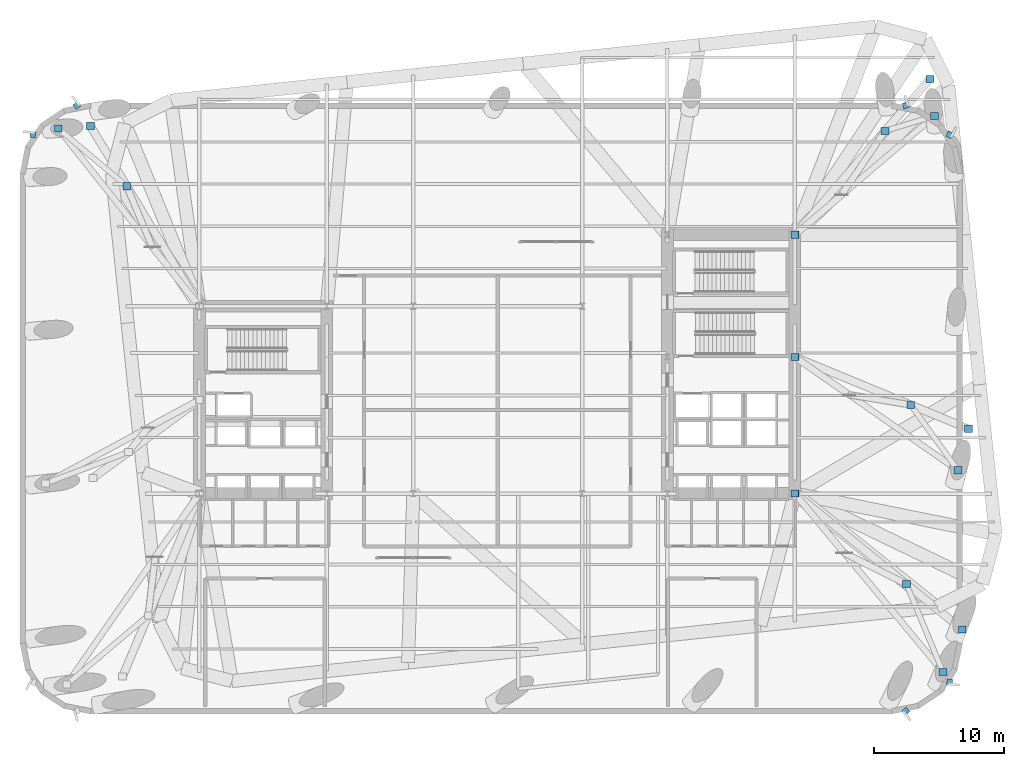
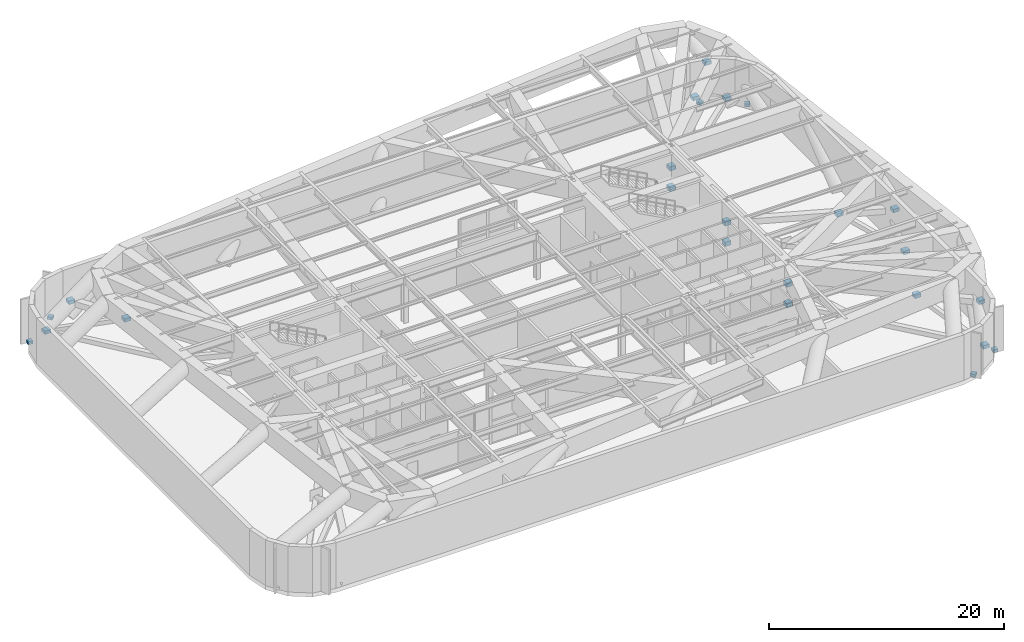
# One storey, part 11 of 16: 29 discrete accessories.
"""IFC4 building model written with IfcOpenShell, lengths in metres."""

from ifc_helpers import new_model, si_unit, direction, frame, origin, origin_2d, place, context, subcontext, project, spatial, rectangle, extrude, material, type_object, element, save


model = new_model("IFC4")

# Units and contexts
model_context = context("Model", 3, precision=1e-05, world=origin(), true_north=direction((0.0, 1.0)))
body_context = subcontext(model_context, "Body", "Model", "MODEL_VIEW")
ifc_project = project(units=[si_unit("LENGTHUNIT", "METRE"), si_unit("AREAUNIT", "SQUARE_METRE"), si_unit("VOLUMEUNIT", "CUBIC_METRE"), si_unit("PLANEANGLEUNIT", "RADIAN"), si_unit("MASSUNIT", "GRAM", prefix="KILO")], contexts=[model_context])

# Site, building, storey
site_placement = place(None, origin())
site = spatial("IfcSite", under=ifc_project, at=site_placement, CompositionType="ELEMENT")
building_placement = place(site_placement, origin())
building = spatial("IfcBuilding", under=site, at=building_placement, Name="Kolvaren Arena Tower", CompositionType="ELEMENT")
storey_placement = place(building_placement, frame((0.0, 0.0, 94.5)))
storey = spatial("IfcBuildingStorey", under=building, at=storey_placement, Name="L21", CompositionType="ELEMENT", Elevation=94.5)

# Discrete accessories
ifc_material_1 = material(Name="Stainless steel facade support bracket", Category="steel")
discrete_accessory_type_1 = type_object("IfcDiscreteAccessoryType", Name="ACC-BRKT-1", PredefinedType="BRACKET", material=ifc_material_1)
for number, where, z_axis, x_axis, name in (
    (1, (68.88330078125, 2.70556640625, 0.02001953125), (0.0, 0.0, 1.0), (0.632722898811, -0.774378288254, 0.0), "Corner Fin Anchor Bracket (L21)"),
    (2, (72.253662109375, 4.95751953125, 0.02001953125), (0.0, 0.0, 1.0), (0.994971840066, -0.100155067151, 0.0), "Corner Fin Anchor Bracket (L21)"),
    (3, (72.253662109375, 47.04248046875, 0.02001953125), (0.0, 0.0, 1.0), (0.473348878368, 0.880875041846, 0.0), "Corner Fin Anchor Bracket (L21)"),
    (4, (68.88330078125, 49.29443359375, 0.02001953125), (0.0, 0.0, 1.0), (-0.288174541455, 0.957577899524, 0.0), "Corner Fin Anchor Bracket (L21)"),
    (5, (5.11669921875, 49.29443359375, 0.02001953125), (0.0, 0.0, 1.0), (-0.632722898811, 0.774378288254, 0.0), "Corner Fin Anchor Bracket (L21)"),
    (6, (1.746337890625, 47.04248046875, 0.02001953125), (0.0, 0.0, 1.0), (-0.994971840066, 0.100155067151, 0.0), "Corner Fin Anchor Bracket (L21)"),
):
    element("IfcDiscreteAccessory", number, at=place(storey_placement, frame(where, z_axis=z_axis, x_axis=x_axis)), inside=storey, type_object=discrete_accessory_type_1, Name=name, PredefinedType="BRACKET", context=body_context, shape_type="SweptSolid", body=[
        extrude(rectangle(XDim=0.449951171875, YDim=0.449951171875, at=origin_2d()), origin(), (0.0, 0.0, 1.0), 0.300048828125),
    ])
ifc_material_2 = material(Name="Steel CSA G40.21 350W bolted gusset connection", Category="steel")
discrete_accessory_type_2 = type_object("IfcDiscreteAccessoryType", Name="ACC-CONN-1", PredefinedType="BRACKET", material=ifc_material_2)
for number, where, z_axis, x_axis, name in (
    (7, (8.96142578125, 43.09033203125, 2.2998046875), (0.0, 0.0, 1.0), (1.0, 0.0, 0.0), "Outrigger Gusset Connection 2-3 (L21)"),
    (8, (6.1669921875, 47.71044921875, 2.2998046875), (0.0, 0.0, 1.0), (1.0, 0.0, 0.0), "Outrigger Gusset Connection 2-4 (L21)"),
    (9, (3.6875, 47.525634765625, 0.169921875), (0.0, 0.0, 1.0), (1.0, 0.0, 0.0), "Outrigger Gusset Connection 2-5 (L21)"),
    (10, (60.35009765625, 19.449951171875, 0.169921875), (0.0, 0.0, 1.0), (1.0, 0.0, 0.0), "Outrigger Gusset Connection 3-2 (L21)"),
    (11, (68.928466796875, 12.484375, 2.2998046875), (0.0, 0.0, 1.0), (1.0, 0.0, 0.0), "Outrigger Gusset Connection 3-3 (L21)"),
    (12, (73.2177734375, 9.00146484375, 2.2998046875), (0.0, 0.0, 1.0), (1.0, 0.0, 0.0), "Outrigger Gusset Connection 3-4 (L21)"),
    (13, (71.7421875, 5.7255859375, 0.169921875), (0.0, 0.0, 1.0), (1.0, 0.0, 0.0), "Outrigger Gusset Connection 3-5 (L21)"),
    (14, (60.35009765625, 39.35009765625, 2.2998046875), (0.0, 0.0, 1.0), (1.0, 0.0, 0.0), "Outrigger Gusset Connection 4-1 (L21)"),
    (15, (60.35009765625, 39.35009765625, 0.169921875), (0.0, 0.0, 1.0), (1.0, 0.0, 0.0), "Outrigger Gusset Connection 4-2 (L21)"),
    (16, (67.2822265625, 47.343994140625, 2.2998046875), (0.0, 0.0, 1.0), (1.0, 0.0, 0.0), "Outrigger Gusset Connection 4-3 (L21)"),
    (17, (70.748291015625, 51.3408203125, 2.2998046875), (0.0, 0.0, 1.0), (1.0, 0.0, 0.0), "Outrigger Gusset Connection 4-4 (L21)"),
    (18, (71.08642578125, 48.489501953125, 0.169921875), (0.0, 0.0, 1.0), (1.0, 0.0, 0.0), "Outrigger Gusset Connection 4-5 (L21)"),
    (19, (60.35009765625, 29.949951171875, 2.2998046875), (0.0, 0.0, 1.0), (1.0, 0.0, 0.0), "Outrigger Gusset Connection 6-1 (L21)"),
    (20, (60.35009765625, 29.949951171875, 0.169921875), (0.0, 0.0, 1.0), (1.0, 0.0, 0.0), "Outrigger Gusset Connection 6-2 (L21)"),
    (21, (69.256103515625, 26.26904296875, 2.2998046875), (0.0, 0.0, 1.0), (1.0, 0.0, 0.0), "Outrigger Gusset Connection 6-3 (L21)"),
    (22, (73.708984375, 24.428466796875, 2.2998046875), (0.0, 0.0, 1.0), (1.0, 0.0, 0.0), "Outrigger Gusset Connection 6-4 (L21)"),
    (23, (72.89453125, 21.237060546875, 0.169921875), (0.0, 0.0, 1.0), (1.0, 0.0, 0.0), "Outrigger Gusset Connection 6-5 (L21)"),
):
    element("IfcDiscreteAccessory", number, at=place(storey_placement, frame(where, z_axis=z_axis, x_axis=x_axis)), inside=storey, type_object=discrete_accessory_type_2, Name=name, PredefinedType="BRACKET", context=body_context, shape_type="SweptSolid", body=[
        extrude(rectangle(XDim=0.60009765625, YDim=0.550048828125, at=origin_2d()), origin(), (0.0, 0.0, 1.0), 0.360107421875),
    ])
for number, where, z_axis, x_axis, name in (
    (24, (60.35009765625, 19.449951171875, 2.260009765625), (0.0, 0.0, 1.0), (1.0, 0.0, 0.0), "Core Wall Cast-In Embed Plate EP1 (L21)"),
    (25, (60.35009765625, 19.449951171875, 0.130126953125), (0.0, 0.0, 1.0), (1.0, 0.0, 0.0), "Core Wall Cast-In Embed Plate EP1 (L21)"),
    (26, (60.35009765625, 39.35009765625, 2.260009765625), (0.0, 0.0, 1.0), (1.0, 0.0, 0.0), "Core Wall Cast-In Embed Plate EP1 (L21)"),
    (27, (60.35009765625, 39.35009765625, 0.130126953125), (0.0, 0.0, 1.0), (1.0, 0.0, 0.0), "Core Wall Cast-In Embed Plate EP1 (L21)"),
    (28, (60.35009765625, 29.949951171875, 2.260009765625), (0.0, 0.0, 1.0), (1.0, 0.0, 0.0), "Core Wall Cast-In Embed Plate EP1 (L21)"),
    (29, (60.35009765625, 29.949951171875, 0.130126953125), (0.0, 0.0, 1.0), (1.0, 0.0, 0.0), "Core Wall Cast-In Embed Plate EP1 (L21)"),
):
    element("IfcDiscreteAccessory", number, at=place(storey_placement, frame(where, z_axis=z_axis, x_axis=x_axis)), inside=storey, type_object=discrete_accessory_type_2, Name=name, PredefinedType="BRACKET", context=body_context, shape_type="SweptSolid", body=[
        extrude(rectangle(XDim=0.56005859375, YDim=0.56005859375, at=origin_2d()), origin(), (0.0, 0.0, 1.0), 0.43994140625),
    ])

save(model, "model.ifc")
